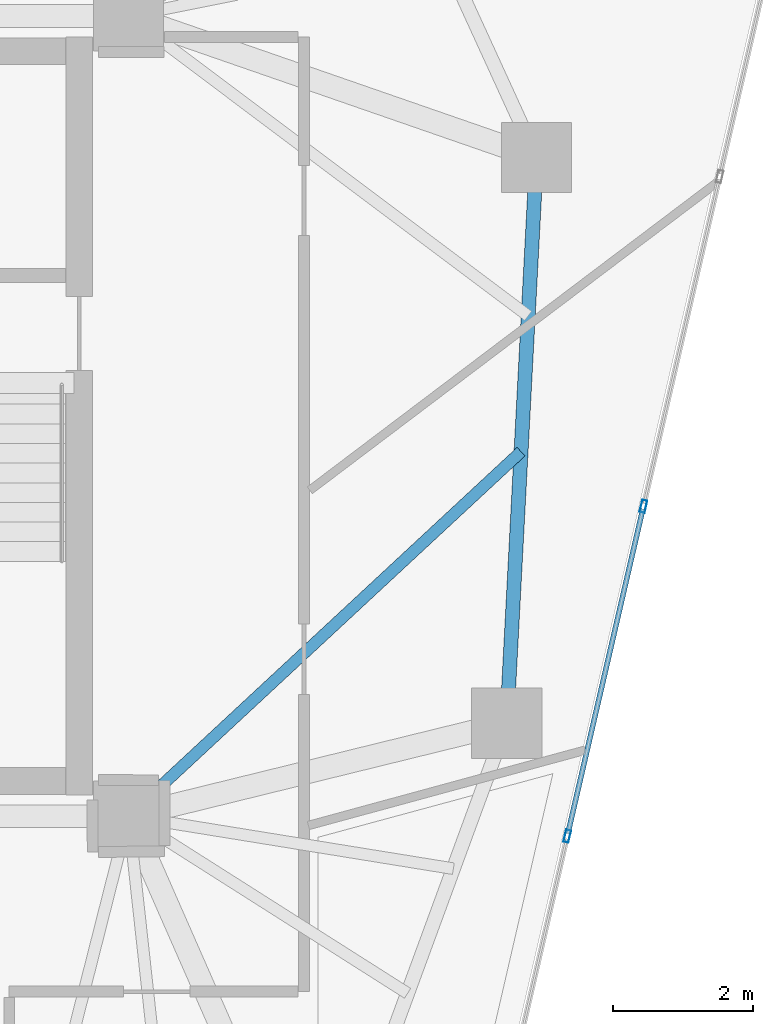
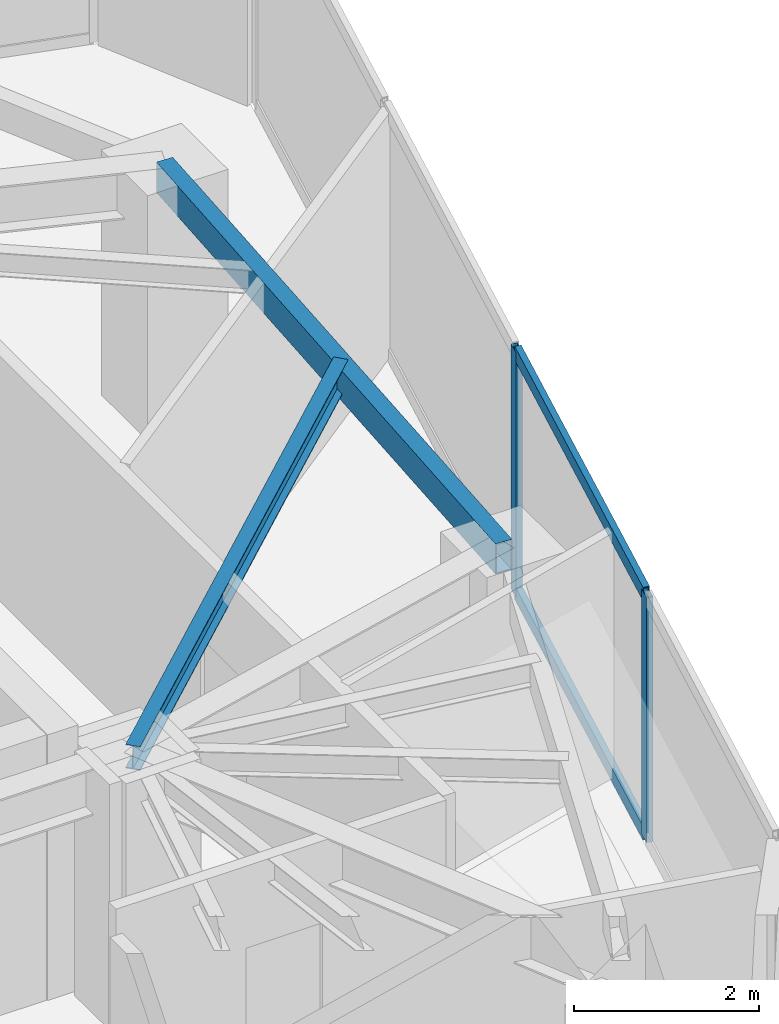
# One storey, part 9 of 18: 4 members, 2 beams, 1 element without a shape of its own.
"""IFC4 building model written with IfcOpenShell, lengths in metres."""

from ifc_helpers import new_model, si_unit, direction, frame, origin, origin_2d, place, context, subcontext, project, spatial, hollow_rectangle, i_section, extrude, source, transform, mapped, material, layer, layer_set, material_profile, profile_set, type_object, type_shapes, element, aggregate, save


model = new_model("IFC4")

# Units and contexts
model_context = context("Model", 3, precision=1e-05, world=origin(), true_north=direction((0.0, 1.0)))
body_context = subcontext(model_context, "Body", "Model", "MODEL_VIEW")
ifc_project = project(units=[si_unit("LENGTHUNIT", "METRE"), si_unit("AREAUNIT", "SQUARE_METRE"), si_unit("VOLUMEUNIT", "CUBIC_METRE"), si_unit("PLANEANGLEUNIT", "RADIAN"), si_unit("MASSUNIT", "GRAM", prefix="KILO")], contexts=[model_context])

# Site, building, storey
site_placement = place(None, origin())
site = spatial("IfcSite", under=ifc_project, at=site_placement, CompositionType="ELEMENT")
building_placement = place(site_placement, origin())
building = spatial("IfcBuilding", under=site, at=building_placement, Name="Talar Marvaseh", CompositionType="ELEMENT")
storey_placement = place(building_placement, frame((0.0, 0.0, 188.0)))
storey = spatial("IfcBuildingStorey", under=building, at=storey_placement, Name="L49", CompositionType="ELEMENT", Elevation=188.0)

# Beams
ifc_material_1 = material(Name="Steel S355", Category="steel")
ifc_material_profile_1 = material_profile(ifc_material_1, hollow_rectangle(XDim=0.199951171875, YDim=0.39990234375, WallThickness=0.013916015625, at=origin_2d()), Name="RHS400x200x14")
ifc_profile_set_1 = profile_set([ifc_material_profile_1], Name="Steel S355")
beam_type_1 = type_object("IfcBeamType", Name="Zone 3 Perimeter Spandrel Beam RHS400x200x14", PredefinedType="SPANDREL", material=ifc_profile_set_1)
beam_1_placement = place(storey_placement, frame((39.113037109375, 34.884033203125, 3.030029296875), z_axis=(-0.052541369293, -0.998618748328, 0.0), x_axis=(0.998618748328, -0.052541369293, 0.0)))
element("IfcBeam", 1, at=beam_1_placement, inside=storey, type_object=beam_type_1, Name="L49 Zone 3 Perimeter Spandrel Beam RHS400x200x14", PredefinedType="SPANDREL", context=body_context, shape_type="SweptSolid", body=[
    extrude(hollow_rectangle(XDim=0.199951171875, YDim=0.39990234375, WallThickness=0.013916015625, at=origin_2d()), origin(), (0.0, 0.0, 1.0), 8.0712890625),
])
ifc_material_profile_2 = material_profile(ifc_material_1, i_section(OverallWidth=0.166015625, OverallDepth=0.31298828125, WebThickness=0.006591796875, FlangeThickness=0.01123046875, at=origin_2d()), Name="W310x45")
ifc_profile_set_2 = profile_set([ifc_material_profile_2], Name="Steel S355")
beam_type_2 = type_object("IfcBeamType", Name="Zone 3 Secondary Floor Joist W310x45", PredefinedType="JOIST", material=ifc_profile_set_2)
beam_2_placement = place(storey_placement, frame((38.892578125, 30.69287109375, 3.073486328125), z_axis=(-0.73280602476, -0.680437601897, 0.0), x_axis=(0.680437601897, -0.73280602476, 0.0)))
element("IfcBeam", 2, at=beam_2_placement, inside=storey, type_object=beam_type_2, Name="L49 Zone 3 Secondary Floor Joist W310x45", PredefinedType="JOIST", context=body_context, shape_type="SweptSolid", body=[
    extrude(i_section(OverallWidth=0.166015625, OverallDepth=0.31298828125, WebThickness=0.006591796875, FlangeThickness=0.01123046875, at=origin_2d()), origin(), (0.0, 0.0, 1.0), 7.631591796875),
])

# Curtain wall, members
ifc_material_2 = material(Name="Architectural Aluminium", Category="aluminium")
ifc_layer = layer(ifc_material_2, 0.18994140625)
ifc_layer_set = layer_set([ifc_layer], Name="Architectural Aluminium")
curtain_wall_type = type_object("IfcCurtainWallType", Name="Unitised Solar Atelier Curtain Wall Z3", PredefinedType="NOTDEFINED", material=ifc_layer_set)
curtain_wall_placement = place(storey_placement, origin())
curtain_wall = element("IfcCurtainWall", 3, at=curtain_wall_placement, inside=storey, type_object=curtain_wall_type, Name="L49 Unitised Solar Atelier Curtain Wall Z3", PredefinedType="NOTDEFINED")
ifc_material_profile_3 = material_profile(ifc_material_2, hollow_rectangle(XDim=0.074951171875, YDim=0.179931640625, WallThickness=0.0048828125, at=origin_2d()), Name="RHS180x75x5")
ifc_profile_set_3 = profile_set([ifc_material_profile_3], Name="Architectural Aluminium")
member_type_1 = type_object("IfcMemberType", Name="Unitised Curtain Wall Standard Mullion RHS180x75x5", PredefinedType="MULLION", material=ifc_profile_set_3)
shared_shape_1 = source(origin(), body_context, "Body", "SweptSolid", [
    extrude(hollow_rectangle(XDim=0.074951171875, YDim=0.179931640625, WallThickness=0.0048828125, at=origin_2d()), origin(), (0.0, 0.0, 1.0), 3.22998046875),
])
type_shapes(member_type_1, [shared_shape_1])
member_1_placement = place(storey_placement, frame((40.63623046875, 29.9140625, 0.0), z_axis=(0.0, 0.0, 1.0), x_axis=(0.974335154995, -0.225102211765, 0.0)))
member_1 = element("IfcMember", 4, at=member_1_placement, type_object=member_type_1, Name="CW-Z3 mullion 3", PredefinedType="MULLION", context=body_context, shape_type="MappedRepresentation", body=[
    mapped(shared_shape_1, transform((0.0, 0.0, 0.0), x_axis=(1.0, 0.0, 0.0), y_axis=(0.0, 1.0, 0.0), z_axis=(0.0, 0.0, 1.0), scale=1.0)),
])
member_2_placement = place(storey_placement, frame((39.55078125, 25.2158203125, 0.0), z_axis=(0.0, 0.0, 1.0), x_axis=(0.974335154995, -0.225102211765, 0.0)))
member_2 = element("IfcMember", 5, at=member_2_placement, type_object=member_type_1, Name="CW-Z3 mullion 4", PredefinedType="MULLION", context=body_context, shape_type="MappedRepresentation", body=[
    mapped(shared_shape_1, transform((0.0, 0.0, 0.0), x_axis=(1.0, 0.0, 0.0), y_axis=(0.0, 1.0, 0.0), z_axis=(0.0, 0.0, 1.0), scale=1.0)),
])
ifc_material_profile_4 = material_profile(ifc_material_2, hollow_rectangle(XDim=0.074951171875, YDim=0.179931640625, WallThickness=0.0048828125, at=origin_2d()), Name="RHS180x75x5")
ifc_profile_set_4 = profile_set([ifc_material_profile_4], Name="Architectural Aluminium")
member_type_2 = type_object("IfcMemberType", Name="Unitised Curtain Wall Transom RHS180x75x5", PredefinedType="USERDEFINED", material=ifc_profile_set_4)
shared_shape_2 = source(origin(), body_context, "Body", "SweptSolid", [
    extrude(hollow_rectangle(XDim=0.074951171875, YDim=0.179931640625, WallThickness=0.0048828125, at=origin_2d()), origin(), (0.0, 0.0, 1.0), 4.7470703125),
])
type_shapes(member_type_2, [shared_shape_2])
member_3_placement = place(storey_placement, frame((40.6279296875, 29.87744140625, 0.03759765625), z_axis=(-0.225107401697, -0.974333955942, 0.0), x_axis=(0.974333955942, -0.225107401697, 0.0)))
member_3 = element("IfcMember", 6, at=member_3_placement, type_object=member_type_2, Name="CW-Z3 transom 3.1", ObjectType="TRANSOM", PredefinedType="USERDEFINED", context=body_context, shape_type="MappedRepresentation", body=[
    mapped(shared_shape_2, transform((0.0, 0.0, 0.0), x_axis=(1.0, 0.0, 0.0), y_axis=(0.0, 1.0, 0.0), z_axis=(0.0, 0.0, 1.0), scale=1.0)),
])
member_4_placement = place(storey_placement, frame((40.6279296875, 29.87744140625, 3.1923828125), z_axis=(-0.225107401697, -0.974333955942, 0.0), x_axis=(0.974333955942, -0.225107401697, 0.0)))
member_4 = element("IfcMember", 7, at=member_4_placement, type_object=member_type_2, Name="CW-Z3 transom 3.2", ObjectType="TRANSOM", PredefinedType="USERDEFINED", context=body_context, shape_type="MappedRepresentation", body=[
    mapped(shared_shape_2, transform((0.0, 0.0, 0.0), x_axis=(1.0, 0.0, 0.0), y_axis=(0.0, 1.0, 0.0), z_axis=(0.0, 0.0, 1.0), scale=1.0)),
])
aggregate(curtain_wall, [member_1, member_2, member_3, member_4])

save(model, "model.ifc")
